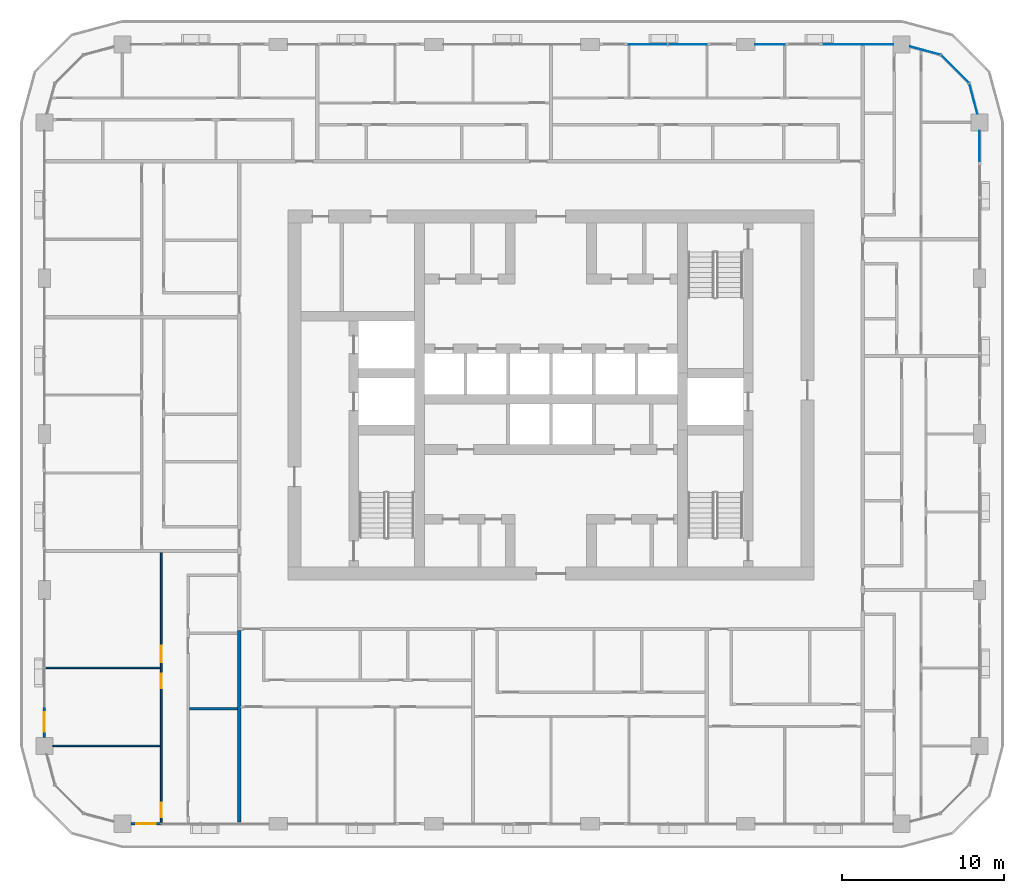
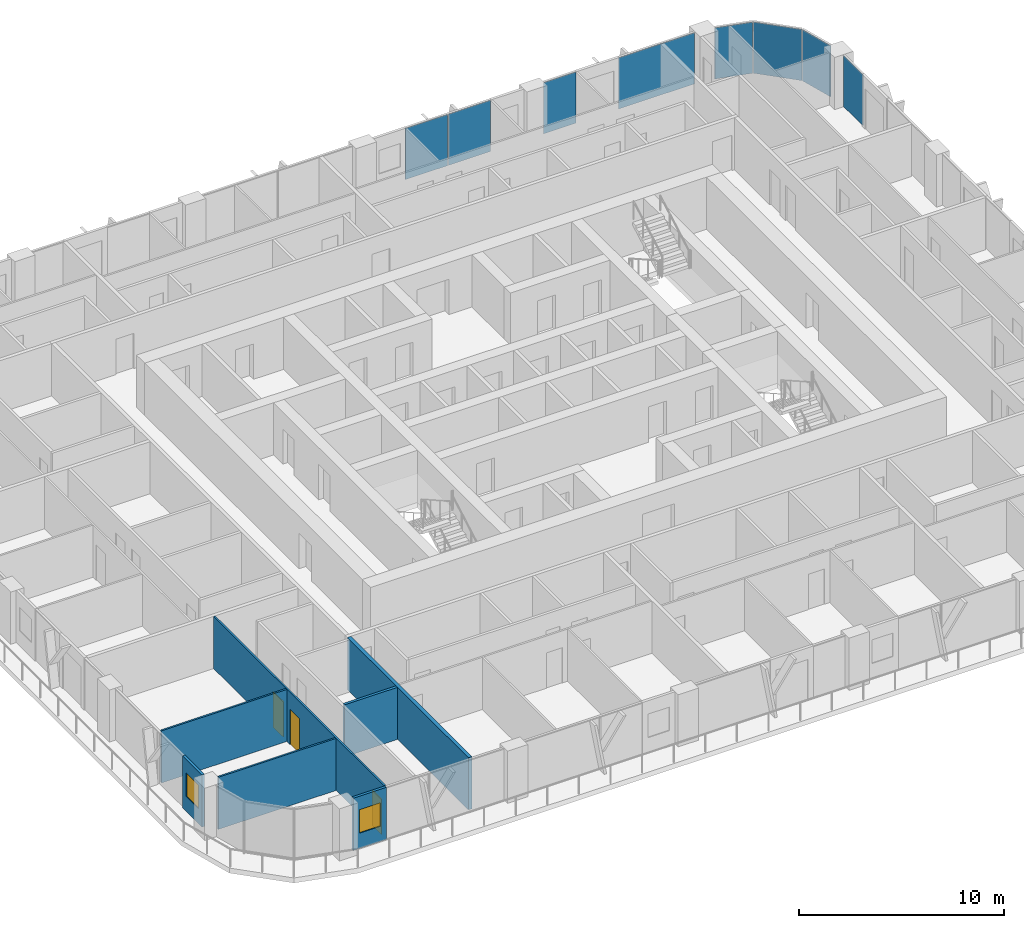
# One storey, part 8 of 22: 8 plates, 7 walls, 3 doors, 2 windows, 5 openings, 4 elements without a shape of their own.
"""IFC4 building model written with IfcOpenShell, lengths in metres."""

from ifc_helpers import new_model, si_unit, direction, frame, frame_2d, origin, origin_2d, place, context, subcontext, project, spatial, rectangle, extrude, material, layer, layer_set, type_object, element, fill, aggregate, save


model = new_model("IFC4")

# Units and contexts
model_context = context("Model", 3, precision=1e-05, world=origin(), true_north=direction((0.0, 1.0)))
body_context = subcontext(model_context, "Body", "Model", "MODEL_VIEW")
ifc_project = project(units=[si_unit("LENGTHUNIT", "METRE"), si_unit("AREAUNIT", "SQUARE_METRE"), si_unit("VOLUMEUNIT", "CUBIC_METRE"), si_unit("PLANEANGLEUNIT", "RADIAN"), si_unit("MASSUNIT", "GRAM", prefix="KILO")], contexts=[model_context])

# Site, building, storey
site_placement = place(None, origin())
site = spatial("IfcSite", under=ifc_project, at=site_placement, CompositionType="ELEMENT")
building_placement = place(site_placement, origin())
building = spatial("IfcBuilding", under=site, at=building_placement, Name="Madar Terraces", CompositionType="ELEMENT")
storey_placement = place(building_placement, frame((0.0, 0.0, 170.0)))
storey = spatial("IfcBuildingStorey", under=building, at=storey_placement, Name="L44", CompositionType="ELEMENT", Elevation=170.0)

# Curtain wall, plate
ifc_material_1 = material(Name="Glass, ceramic frit dark grey, with black aluminium frame", Category="aluminium")
ifc_layer_1 = layer(ifc_material_1, 0.199951171875)
ifc_layer_set_1 = layer_set([ifc_layer_1], Name="Facade curtain wall, fritted glass")
curtain_wall_type = type_object("IfcCurtainWallType", Name="Facade curtain wall, fritted glass", PredefinedType="NOTDEFINED", material=ifc_layer_set_1)
curtain_wall_1_placement = place(storey_placement, origin())
curtain_wall_1 = element("IfcCurtainWall", 1, at=curtain_wall_1_placement, inside=storey, type_object=curtain_wall_type, Name="Outer skin curtain wall east bay 4", PredefinedType="NOTDEFINED")
ifc_material_2 = material(Name="Glass, ceramic frit dark grey", Category="glass")
ifc_layer_2 = layer(ifc_material_2, 0.028076171875)
ifc_layer_set_2 = layer_set([ifc_layer_2], Name="Facade glass panel 28")
plate_type = type_object("IfcPlateType", Name="Facade glass panel 28", PredefinedType="CURTAIN_PANEL", material=ifc_layer_set_2)
plate_1_placement = place(storey_placement, frame((57.60009765625, 41.737548828125, 0.0), z_axis=(0.0, 0.0, 1.0), x_axis=(0.0, 1.0, 0.0)))
plate_1 = element("IfcPlate", 2, at=plate_1_placement, type_object=plate_type, Name="Panel 2", PredefinedType="CURTAIN_PANEL", context=body_context, shape_type="SweptSolid", body=[
    extrude(rectangle(XDim=1.875, YDim=0.028076171875, at=origin_2d()), origin(), (0.0, 0.0, 1.0), 3.0400390625),
])
aggregate(curtain_wall_1, [plate_1])

# Curtain wall, plates
curtain_wall_2_placement = place(storey_placement, origin())
curtain_wall_2 = element("IfcCurtainWall", 3, at=curtain_wall_2_placement, inside=storey, type_object=curtain_wall_type, Name="Outer skin curtain wall north bay 1", PredefinedType="NOTDEFINED")
plate_2_placement = place(storey_placement, frame((50.137451171875, 48.0, 0.0), z_axis=(0.0, 0.0, 1.0), x_axis=(-1.0, 0.0, 0.0)))
plate_2 = element("IfcPlate", 4, at=plate_2_placement, type_object=plate_type, Name="Panel 1", PredefinedType="CURTAIN_PANEL", context=body_context, shape_type="SweptSolid", body=[
    extrude(rectangle(XDim=4.27490234375, YDim=0.028076171875, at=origin_2d()), origin(), (0.0, 0.0, 1.0), 3.0400390625),
])
plate_3_placement = place(storey_placement, frame((44.6875, 48.0, 0.0), z_axis=(0.0, 0.0, 1.0), x_axis=(-1.0, 0.0, 0.0)))
plate_3 = element("IfcPlate", 5, at=plate_3_placement, type_object=plate_type, Name="Panel 2", PredefinedType="CURTAIN_PANEL", context=body_context, shape_type="SweptSolid", body=[
    extrude(rectangle(XDim=1.824951171875, YDim=0.028076171875, at=origin_2d()), origin(), (0.0, 0.0, 1.0), 3.0400390625),
])
aggregate(curtain_wall_2, [plate_2, plate_3])

curtain_wall_3_placement = place(storey_placement, origin())
curtain_wall_3 = element("IfcCurtainWall", 6, at=curtain_wall_3_placement, inside=storey, type_object=curtain_wall_type, Name="Outer skin curtain wall north bay 2", PredefinedType="NOTDEFINED")
plate_4_placement = place(storey_placement, frame((39.614990234375, 48.0, 0.0), z_axis=(0.0, 0.0, 1.0), x_axis=(-1.0, 0.0, 0.0)))
plate_4 = element("IfcPlate", 7, at=plate_4_placement, type_object=plate_type, Name="Panel 1", PredefinedType="CURTAIN_PANEL", context=body_context, shape_type="SweptSolid", body=[
    extrude(rectangle(XDim=2.3701171875, YDim=0.028076171875, at=origin_2d()), origin(), (0.0, 0.0, 1.0), 3.0400390625),
])
plate_5_placement = place(storey_placement, frame((37.18505859375, 48.0, 0.0), z_axis=(0.0, 0.0, 1.0), x_axis=(-1.0, 0.0, 0.0)))
plate_5 = element("IfcPlate", 8, at=plate_5_placement, type_object=plate_type, Name="Panel 2", PredefinedType="CURTAIN_PANEL", context=body_context, shape_type="SweptSolid", body=[
    extrude(rectangle(XDim=2.3701171875, YDim=0.028076171875, at=origin_2d()), origin(), (0.0, 0.0, 1.0), 3.0400390625),
])
aggregate(curtain_wall_3, [plate_4, plate_5])

curtain_wall_4_placement = place(storey_placement, origin())
curtain_wall_4 = element("IfcCurtainWall", 9, at=curtain_wall_4_placement, inside=storey, type_object=curtain_wall_type, Name="Outer skin curtain wall north-east corner", PredefinedType="NOTDEFINED")
plate_6_placement = place(storey_placement, frame((57.2119140625, 44.64794921875, 0.0), z_axis=(0.0, 0.0, 1.0), x_axis=(-0.258819021888, 0.965925832509, 0.0)))
plate_6 = element("IfcPlate", 10, at=plate_6_placement, type_object=plate_type, Name="Panel 1", PredefinedType="CURTAIN_PANEL", context=body_context, shape_type="SweptSolid", body=[
    extrude(rectangle(XDim=1.9111328125, YDim=0.028076171875, at=origin_2d()), origin(), (0.0, 0.0, 1.0), 3.0400390625),
])
plate_7_placement = place(storey_placement, frame((56.078369140625, 46.478515625, 0.0), z_axis=(0.0, 0.0, 1.0), x_axis=(-0.707106781187, 0.707106781187, 0.0)))
plate_7 = element("IfcPlate", 11, at=plate_7_placement, type_object=plate_type, Name="Panel 2", PredefinedType="CURTAIN_PANEL", context=body_context, shape_type="SweptSolid", body=[
    extrude(rectangle(XDim=2.424560546875, YDim=0.028076171875, at=origin_2d()), origin(), (0.0, 0.0, 1.0), 3.0400390625),
])
plate_8_placement = place(storey_placement, frame((54.248046875, 47.612060546875, 0.0), z_axis=(0.0, 0.0, 1.0), x_axis=(-0.965925832509, 0.258819021888, 0.0)))
plate_8 = element("IfcPlate", 12, at=plate_8_placement, type_object=plate_type, Name="Panel 3", PredefinedType="CURTAIN_PANEL", context=body_context, shape_type="SweptSolid", body=[
    extrude(rectangle(XDim=1.9111328125, YDim=0.028076171875, at=origin_2d()), origin(), (0.0, 0.0, 1.0), 3.0400390625),
])
aggregate(curtain_wall_4, [plate_6, plate_7, plate_8])

# Wall, opening, window
ifc_material_3 = material(Name="Aluminium composite panel, black, over insulated backing", Category="aluminium")
ifc_layer_3 = layer(ifc_material_3, 0.14990234375)
ifc_layer_set_3 = layer_set([ifc_layer_3], Name="Facade bay panel 150")
wall_type_1 = type_object("IfcWallType", Name="Facade bay panel 150", PredefinedType="SOLIDWALL", material=ifc_layer_set_3)
wall_1_placement = place(storey_placement, frame((5.324951171875, 0.0, 0.0), z_axis=(0.0, 0.0, 1.0), x_axis=(1.0, 0.0, 0.0)))
wall_1 = element("IfcWall", 13, at=wall_1_placement, inside=storey, type_object=wall_type_1, Name="Facade bay panel", PredefinedType="SOLIDWALL", context=body_context, shape_type="SweptSolid", body=[
    extrude(rectangle(XDim=1.875, YDim=0.14990234375, at=frame_2d((0.9375, 0.0))), origin(), (0.0, 0.0, 1.0), 3.10009765625),
])
opening_1_placement = place(wall_1_placement, frame((0.33740234375, 0.0, 0.89990234375)))
opening_1 = element("IfcOpeningElement", 14, at=opening_1_placement, cuts=wall_1, Name="Opening W1", PredefinedType="OPENING", context=body_context, shape_type="SweptSolid", body=[
    extrude(rectangle(XDim=1.199951171875, YDim=1.39990234375, at=frame_2d((0.60009765625, 0.699951171875))), frame((0.0, 0.0849609375, 0.0), z_axis=(0.0, -1.0, 0.0), x_axis=(1.0, 0.0, 0.0)), (0.0, 0.0, 1.0), 0.169921875),
])
ifc_material_4 = material(Name="Glass, clear, with black aluminium frame", Category="aluminium")
window_type = type_object("IfcWindowType", Name="Vent window 1200 x 1400", PartitioningType="SINGLE_PANEL", PredefinedType="WINDOW", material=ifc_material_4)
window_1_placement = place(opening_1_placement, origin())
window_1 = element("IfcWindow", 15, at=window_1_placement, inside=storey, type_object=window_type, Name="Operable vent window", OverallHeight=1.39990234375, OverallWidth=1.199951171875, PartitioningType="SINGLE_PANEL", PredefinedType="WINDOW", context=body_context, shape_type="SweptSolid", body=[
    extrude(rectangle(XDim=1.199951171875, YDim=1.39990234375, at=frame_2d((0.60009765625, 0.699951171875))), frame((0.0, 0.030029296875, 0.0), z_axis=(0.0, -1.0, 0.0), x_axis=(1.0, 0.0, 0.0)), (0.0, 0.0, 1.0), 0.06005859375),
])
fill(opening_1, window_1)

wall_2_placement = place(storey_placement, frame((0.0, 7.199951171875, 0.0), z_axis=(0.0, 0.0, 1.0), x_axis=(0.0, -1.0, 0.0)))
wall_2 = element("IfcWall", 16, at=wall_2_placement, inside=storey, type_object=wall_type_1, Name="Facade bay panel", PredefinedType="SOLIDWALL", context=body_context, shape_type="SweptSolid", body=[
    extrude(rectangle(XDim=1.875, YDim=0.14990234375, at=frame_2d((0.9375, 0.0))), origin(), (0.0, 0.0, 1.0), 3.10009765625),
])
opening_2_placement = place(wall_2_placement, frame((0.33740234375, 0.0, 0.89990234375)))
opening_2 = element("IfcOpeningElement", 17, at=opening_2_placement, cuts=wall_2, Name="Opening W1", PredefinedType="OPENING", context=body_context, shape_type="SweptSolid", body=[
    extrude(rectangle(XDim=1.199951171875, YDim=1.39990234375, at=frame_2d((0.60009765625, 0.699951171875))), frame((0.0, 0.0849609375, 0.0), z_axis=(0.0, -1.0, 0.0), x_axis=(1.0, 0.0, 0.0)), (0.0, 0.0, 1.0), 0.169921875),
])
window_2_placement = place(opening_2_placement, origin())
window_2 = element("IfcWindow", 18, at=window_2_placement, inside=storey, type_object=window_type, Name="Operable vent window", OverallHeight=1.39990234375, OverallWidth=1.199951171875, PartitioningType="SINGLE_PANEL", PredefinedType="WINDOW", context=body_context, shape_type="SweptSolid", body=[
    extrude(rectangle(XDim=1.199951171875, YDim=1.39990234375, at=frame_2d((0.60009765625, 0.699951171875))), frame((0.0, 0.030029296875, 0.0), z_axis=(0.0, -1.0, 0.0), x_axis=(1.0, 0.0, 0.0)), (0.0, 0.0, 1.0), 0.06005859375),
])
fill(opening_2, window_2)

# Walls
ifc_material_5 = material(Name="Gypsum board on steel studs", Category="steel")
ifc_layer_4 = layer(ifc_material_5, 0.10009765625)
ifc_layer_set_4 = layer_set([ifc_layer_4], Name="Flat partition 100")
wall_type_2 = type_object("IfcWallType", Name="Flat partition 100", PredefinedType="PARTITIONING", material=ifc_layer_set_4)
wall_3_placement = place(storey_placement, frame((7.14990234375, 9.60009765625, 0.0), z_axis=(0.0, 0.0, 1.0), x_axis=(-1.0, 0.0, 0.0)))
element("IfcWall", 19, at=wall_3_placement, inside=storey, type_object=wall_type_2, Name="Flat partition 100", PredefinedType="PARTITIONING", context=body_context, shape_type="SweptSolid", body=[
    extrude(rectangle(XDim=7.0498046875, YDim=0.10009765625, at=frame_2d((3.52490234375, 0.0))), origin(), (0.0, 0.0, 1.0), 3.10009765625),
])
wall_4_placement = place(storey_placement, frame((7.14990234375, 4.800048828125, 0.0), z_axis=(0.0, 0.0, 1.0), x_axis=(-1.0, 0.0, 0.0)))
element("IfcWall", 20, at=wall_4_placement, inside=storey, type_object=wall_type_2, Name="Flat partition 100", PredefinedType="PARTITIONING", context=body_context, shape_type="SweptSolid", body=[
    extrude(rectangle(XDim=6.625, YDim=0.10009765625, at=frame_2d((3.3125, 0.0))), origin(), (0.0, 0.0, 1.0), 3.10009765625),
])

# Wall, openings, doors
wall_5_placement = place(storey_placement, frame((7.199951171875, 0.10009765625, 0.0), z_axis=(0.0, 0.0, 1.0), x_axis=(0.0, 1.0, 0.0)))
wall_5 = element("IfcWall", 21, at=wall_5_placement, inside=storey, type_object=wall_type_2, Name="Flat partition 100", PredefinedType="PARTITIONING", context=body_context, shape_type="SweptSolid", body=[
    extrude(rectangle(XDim=16.599853515625, YDim=0.10009765625, at=frame_2d((8.2998046875, 0.0))), origin(), (0.0, 0.0, 1.0), 3.10009765625),
])
opening_3_placement = place(wall_5_placement, frame((9.85009765625, 0.0, 0.0)))
opening_3 = element("IfcOpeningElement", 22, at=opening_3_placement, cuts=wall_5, Name="Opening D3", PredefinedType="OPENING", context=body_context, shape_type="SweptSolid", body=[
    extrude(rectangle(XDim=1.0, YDim=2.10009765625, at=frame_2d((0.5, 1.050048828125))), frame((0.0, 0.06005859375, 0.0), z_axis=(0.0, -1.0, 0.0), x_axis=(1.0, 0.0, 0.0)), (0.0, 0.0, 1.0), 0.1201171875),
])
opening_4_placement = place(wall_5_placement, frame((8.25, 0.0, 0.0)))
opening_4 = element("IfcOpeningElement", 23, at=opening_4_placement, cuts=wall_5, Name="Opening D2", PredefinedType="OPENING", context=body_context, shape_type="SweptSolid", body=[
    extrude(rectangle(XDim=0.89990234375, YDim=2.10009765625, at=frame_2d((0.449951171875, 1.050048828125))), frame((0.0, 0.06005859375, 0.0), z_axis=(0.0, -1.0, 0.0), x_axis=(1.0, 0.0, 0.0)), (0.0, 0.0, 1.0), 0.1201171875),
])
opening_5_placement = place(wall_5_placement, frame((0.300048828125, 0.0, 0.0)))
opening_5 = element("IfcOpeningElement", 24, at=opening_5_placement, cuts=wall_5, Name="Opening D2", PredefinedType="OPENING", context=body_context, shape_type="SweptSolid", body=[
    extrude(rectangle(XDim=0.89990234375, YDim=2.10009765625, at=frame_2d((0.449951171875, 1.050048828125))), frame((0.0, 0.06005859375, 0.0), z_axis=(0.0, -1.0, 0.0), x_axis=(1.0, 0.0, 0.0)), (0.0, 0.0, 1.0), 0.1201171875),
])
ifc_material_6 = material(Name="Timber door leaf", Category="wood")
door_type_1 = type_object("IfcDoorType", Name="Flat living room door 1000", OperationType="NOTDEFINED", PredefinedType="DOOR", material=ifc_material_6)
door_1_placement = place(opening_3_placement, origin())
door_1 = element("IfcDoor", 25, at=door_1_placement, inside=storey, type_object=door_type_1, Name="Flat living room door 1000", OperationType="SINGLE_SWING_LEFT", OverallHeight=2.10009765625, OverallWidth=1.0, PredefinedType="DOOR", context=body_context, shape_type="SweptSolid", body=[
    extrude(rectangle(XDim=1.0, YDim=2.10009765625, at=frame_2d((0.5, 1.050048828125))), frame((0.0, 0.02490234375, 0.0), z_axis=(0.0, -1.0, 0.0), x_axis=(1.0, 0.0, 0.0)), (0.0, 0.0, 1.0), 0.050048828125),
])
fill(opening_3, door_1)
ifc_material_7 = material(Name="Timber door leaf", Category="wood")
door_type_2 = type_object("IfcDoorType", Name="Flat room door 900", OperationType="NOTDEFINED", PredefinedType="DOOR", material=ifc_material_7)
door_2_placement = place(opening_4_placement, origin())
door_2 = element("IfcDoor", 26, at=door_2_placement, inside=storey, type_object=door_type_2, Name="Flat room door 900", OperationType="SINGLE_SWING_RIGHT", OverallHeight=2.10009765625, OverallWidth=0.89990234375, PredefinedType="DOOR", context=body_context, shape_type="SweptSolid", body=[
    extrude(rectangle(XDim=0.89990234375, YDim=2.10009765625, at=frame_2d((0.449951171875, 1.050048828125))), frame((0.0, 0.02490234375, 0.0), z_axis=(0.0, -1.0, 0.0), x_axis=(1.0, 0.0, 0.0)), (0.0, 0.0, 1.0), 0.050048828125),
])
fill(opening_4, door_2)
door_3_placement = place(opening_5_placement, origin())
door_3 = element("IfcDoor", 27, at=door_3_placement, inside=storey, type_object=door_type_2, Name="Flat room door 900", OperationType="SINGLE_SWING_LEFT", OverallHeight=2.10009765625, OverallWidth=0.89990234375, PredefinedType="DOOR", context=body_context, shape_type="SweptSolid", body=[
    extrude(rectangle(XDim=0.89990234375, YDim=2.10009765625, at=frame_2d((0.449951171875, 1.050048828125))), frame((0.0, 0.02490234375, 0.0), z_axis=(0.0, -1.0, 0.0), x_axis=(1.0, 0.0, 0.0)), (0.0, 0.0, 1.0), 0.050048828125),
])
fill(opening_5, door_3)

# Walls
ifc_material_8 = material(Name="Lightweight blockwork", Category="masonry")
ifc_layer_5 = layer(ifc_material_8, 0.199951171875)
ifc_layer_set_5 = layer_set([ifc_layer_5], Name="Flat party and entrance wall 200")
wall_type_3 = type_object("IfcWallType", Name="Flat party and entrance wall 200", PredefinedType="PARTITIONING", material=ifc_layer_set_5)
wall_6_placement = place(storey_placement, frame((12.0, 0.10009765625, 0.0), z_axis=(0.0, 0.0, 1.0), x_axis=(0.0, 1.0, 0.0)))
element("IfcWall", 28, at=wall_6_placement, inside=storey, type_object=wall_type_3, Name="Flat party and entrance wall 200", PredefinedType="PARTITIONING", context=body_context, shape_type="SweptSolid", body=[
    extrude(rectangle(XDim=11.7998046875, YDim=0.199951171875, at=frame_2d((5.89990234375, 0.0))), origin(), (0.0, 0.0, 1.0), 3.10009765625),
])
ifc_material_9 = material(Name="Lightweight blockwork", Category="masonry")
ifc_layer_6 = layer(ifc_material_9, 0.14990234375)
ifc_layer_set_6 = layer_set([ifc_layer_6], Name="Flat wet-room partition 150")
wall_type_4 = type_object("IfcWallType", Name="Flat wet-room partition 150", PredefinedType="PARTITIONING", material=ifc_layer_set_6)
wall_7_placement = place(storey_placement, frame((11.89990234375, 7.080810546875, 0.0), z_axis=(0.0, 0.0, 1.0), x_axis=(-1.0, 0.0, 0.0)))
element("IfcWall", 29, at=wall_7_placement, inside=storey, type_object=wall_type_4, Name="Flat wet-room partition 150", PredefinedType="PARTITIONING", context=body_context, shape_type="SweptSolid", body=[
    extrude(rectangle(XDim=2.974853515625, YDim=0.14990234375, at=frame_2d((1.4873046875, 0.0))), origin(), (0.0, 0.0, 1.0), 3.10009765625),
])

save(model, "model.ifc")
